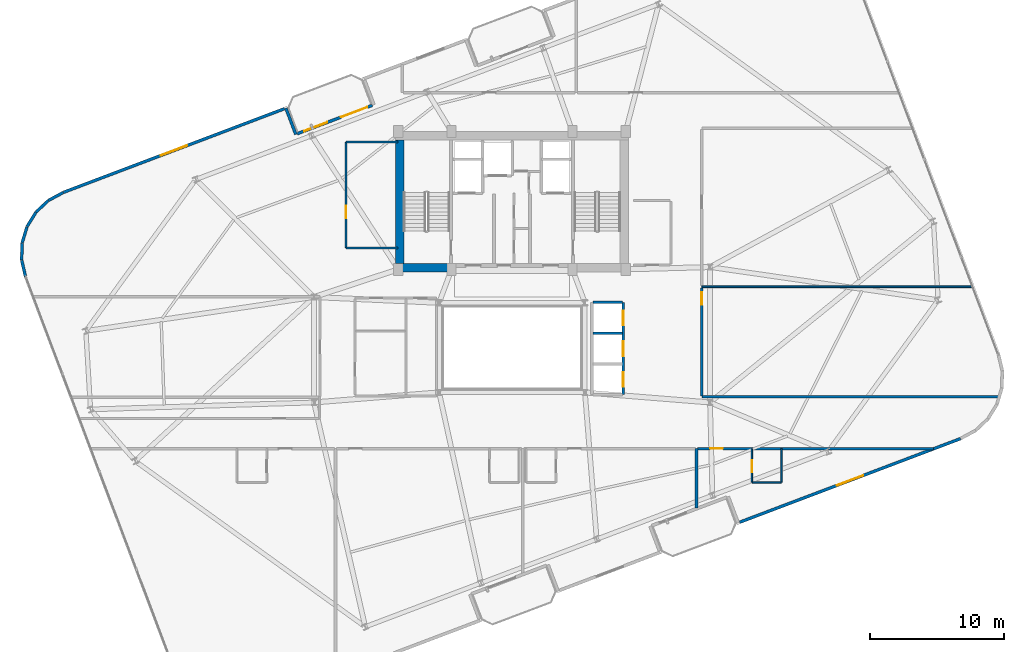
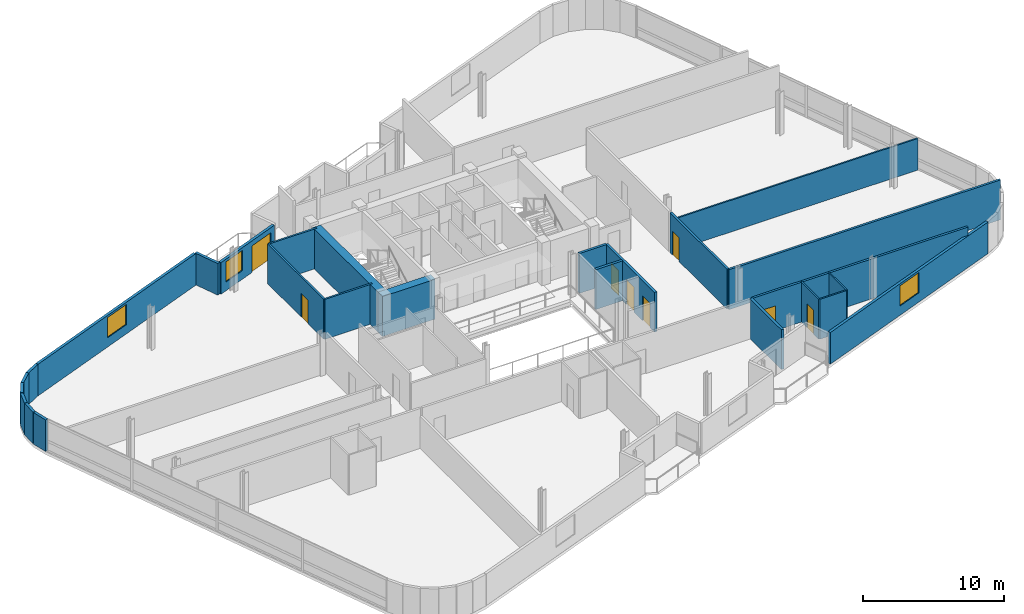
# One storey, part 15 of 19: 26 walls, 8 doors, 3 windows, 11 openings.
"""IFC4 building model written with IfcOpenShell, lengths in metres."""

from ifc_helpers import new_model, si_unit, direction, frame, frame_2d, origin, place, context, subcontext, project, spatial, rectangle, extrude, material, layer, layer_set, type_object, element, fill, save


model = new_model("IFC4")

# Units and contexts
model_context = context("Model", 3, precision=1e-05, world=origin(), true_north=direction((0.0, 1.0)))
body_context = subcontext(model_context, "Body", "Model", "MODEL_VIEW")
ifc_project = project(units=[si_unit("LENGTHUNIT", "METRE"), si_unit("AREAUNIT", "SQUARE_METRE"), si_unit("VOLUMEUNIT", "CUBIC_METRE"), si_unit("PLANEANGLEUNIT", "RADIAN"), si_unit("MASSUNIT", "GRAM", prefix="KILO")], contexts=[model_context])

# Site, building, storey
site_placement = place(None, origin())
site = spatial("IfcSite", under=ifc_project, at=site_placement, CompositionType="ELEMENT")
building_placement = place(site_placement, origin())
building = spatial("IfcBuilding", under=site, at=building_placement, Name="Varnelok Gate Tower", CompositionType="ELEMENT")
storey_placement = place(building_placement, frame((0.0, 0.0, 246.0)))
storey = spatial("IfcBuildingStorey", under=building, at=storey_placement, Name="L63", CompositionType="ELEMENT", Elevation=246.0)

# Wall, openings, door, window
ifc_material_1 = material(Name="Concrete C45/55", Category="concrete")
ifc_layer_1 = layer(ifc_material_1, 0.219970703125)
ifc_layer_set_1 = layer_set([ifc_layer_1], Name="Concrete C45/55")
wall_type_1 = type_object("IfcWallType", Name="EW-BALC-220", PredefinedType="SOLIDWALL", material=ifc_layer_set_1)
wall_1_placement = place(storey_placement, frame((23.1494140625, 38.88720703125, 0.0), z_axis=(0.0, 0.0, 1.0), x_axis=(0.9352192676, 0.354069091436, 0.0)))
wall_1 = element("IfcWall", 1, at=wall_1_placement, inside=storey, type_object=wall_type_1, Name="L63 North Terrace Envelope Wall 3", PredefinedType="SOLIDWALL", context=body_context, shape_type="SweptSolid", body=[
    extrude(rectangle(XDim=6.000244140625, YDim=0.219970703125, at=frame_2d((3.0, 0.0))), origin(), (0.0, 0.0, 1.0), 2.72998046875),
])
opening_1_placement = place(wall_1_placement, frame((3.5, 0.0, 0.0)))
opening_1 = element("IfcOpeningElement", 2, at=opening_1_placement, cuts=wall_1, Name="Opening BD-2", PredefinedType="OPENING", context=body_context, shape_type="SweptSolid", body=[
    extrude(rectangle(XDim=2.10009765625, YDim=2.300048828125, at=frame_2d((1.050048828125, 1.14990234375))), frame((0.0, 0.119873046875, 0.0), z_axis=(0.0, -1.0, 0.0), x_axis=(1.0, 0.0, 0.0)), (0.0, 0.0, 1.0), 0.239990234375),
])
opening_2_placement = place(wall_1_placement, frame((0.550048828125, 0.0, 0.75)))
opening_2 = element("IfcOpeningElement", 3, at=opening_2_placement, cuts=wall_1, Name="Opening WN5", PredefinedType="OPENING", context=body_context, shape_type="SweptSolid", body=[
    extrude(rectangle(XDim=1.85009765625, YDim=1.75, at=frame_2d((0.925048828125, 0.875))), frame((0.0, 0.119873046875, 0.0), z_axis=(0.0, -1.0, 0.0), x_axis=(1.0, 0.0, 0.0)), (0.0, 0.0, 1.0), 0.239990234375),
])
ifc_material_2 = material(Name="Anodized Aluminum Alloy 6063-T6", Category="aluminium")
door_type_1 = type_object("IfcDoorType", Name="DR-EXT-SLID2100", OperationType="SLIDING_TO_LEFT", PredefinedType="DOOR", material=ifc_material_2)
door_1_placement = place(opening_1_placement, origin())
door_1 = element("IfcDoor", 4, at=door_1_placement, inside=storey, type_object=door_type_1, Name="L63 North Balcony Glazed Door 3", OperationType="SLIDING_TO_LEFT", OverallHeight=2.300048828125, OverallWidth=2.10009765625, PredefinedType="DOOR", context=body_context, shape_type="SweptSolid", body=[
    extrude(rectangle(XDim=2.10009765625, YDim=2.300048828125, at=frame_2d((1.050048828125, 1.14990234375))), frame((0.0, 0.02490234375, 0.0), z_axis=(0.0, -1.0, 0.0), x_axis=(1.0, 0.0, 0.0)), (0.0, 0.0, 1.0), 0.050048828125),
])
fill(opening_1, door_1)
ifc_material_3 = material(Name="Low-E Laminated Double Glazing IGU", Category="glass")
window_type_1 = type_object("IfcWindowType", Name="WN-RES-1850", PartitioningType="SINGLE_PANEL", PredefinedType="WINDOW", material=ifc_material_3)
window_1_placement = place(opening_2_placement, origin())
window_1 = element("IfcWindow", 5, at=window_1_placement, inside=storey, type_object=window_type_1, Name="L63 North Vision Window 3.1", OverallHeight=1.75, OverallWidth=1.85009765625, PartitioningType="SINGLE_PANEL", PredefinedType="WINDOW", context=body_context, shape_type="SweptSolid", body=[
    extrude(rectangle(XDim=1.85009765625, YDim=1.75, at=frame_2d((0.925048828125, 0.875))), frame((0.0, 0.030029296875, 0.0), z_axis=(0.0, -1.0, 0.0), x_axis=(1.0, 0.0, 0.0)), (0.0, 0.0, 1.0), 0.06005859375),
])
fill(opening_2, window_1)

# Wall, opening, window
wall_2_placement = place(storey_placement, frame((56.219482421875, 9.844970703125, 0.0), z_axis=(0.0, 0.0, 1.0), x_axis=(0.935225601791, 0.354052360188, 0.0)))
wall_2 = element("IfcWall", 6, at=wall_2_placement, inside=storey, type_object=wall_type_1, Name="L63 Perimeter Facade Closure Wall 13", PredefinedType="SOLIDWALL", context=body_context, shape_type="SweptSolid", body=[
    extrude(rectangle(XDim=17.647216796875, YDim=0.219970703125, at=frame_2d((8.82373046875, 0.0))), origin(), (0.0, 0.0, 1.0), 2.72998046875),
])
opening_3_placement = place(wall_2_placement, frame((7.773681640625, 0.0, 0.800048828125)))
opening_3 = element("IfcOpeningElement", 7, at=opening_3_placement, cuts=wall_2, Name="Opening WN4", PredefinedType="OPENING", context=body_context, shape_type="SweptSolid", body=[
    extrude(rectangle(XDim=2.10009765625, YDim=1.75, at=frame_2d((1.050048828125, 0.875))), frame((0.0, 0.119873046875, 0.0), z_axis=(0.0, -1.0, 0.0), x_axis=(1.0, 0.0, 0.0)), (0.0, 0.0, 1.0), 0.239990234375),
])
window_type_2 = type_object("IfcWindowType", Name="WN-SUI-2100", PartitioningType="SINGLE_PANEL", PredefinedType="WINDOW", material=ifc_material_3)
window_2_placement = place(opening_3_placement, origin())
window_2 = element("IfcWindow", 8, at=window_2_placement, inside=storey, type_object=window_type_2, Name="L63 Perimeter Vision Window 13", OverallHeight=1.75, OverallWidth=2.10009765625, PartitioningType="SINGLE_PANEL", PredefinedType="WINDOW", context=body_context, shape_type="SweptSolid", body=[
    extrude(rectangle(XDim=2.10009765625, YDim=1.75, at=frame_2d((1.050048828125, 0.875))), frame((0.0, 0.030029296875, 0.0), z_axis=(0.0, -1.0, 0.0), x_axis=(1.0, 0.0, 0.0)), (0.0, 0.0, 1.0), 0.06005859375),
])
fill(opening_3, window_2)

# Wall
wall_3_placement = place(storey_placement, frame((23.041015625, 38.83544921875, 0.0), z_axis=(0.0, 0.0, 1.0), x_axis=(-0.354128469405, 0.935196785258, 0.0)))
element("IfcWall", 9, at=wall_3_placement, inside=storey, type_object=wall_type_1, Name="L63 Perimeter Facade Closure Wall 31", PredefinedType="SOLIDWALL", context=body_context, shape_type="SweptSolid", body=[
    extrude(rectangle(XDim=2.099853515625, YDim=0.219970703125, at=frame_2d((1.0498046875, 0.0))), origin(), (0.0, 0.0, 1.0), 2.72998046875),
])

# Wall, opening, window
wall_4_placement = place(storey_placement, frame((22.180419921875, 40.755126953125, 0.0), z_axis=(0.0, 0.0, 1.0), x_axis=(-0.935223867561, -0.354056941104, 0.0)))
wall_4 = element("IfcWall", 10, at=wall_4_placement, inside=storey, type_object=wall_type_1, Name="L63 Perimeter Facade Closure Wall 32", PredefinedType="SOLIDWALL", context=body_context, shape_type="SweptSolid", body=[
    extrude(rectangle(XDim=17.64697265625, YDim=0.219970703125, at=frame_2d((8.823486328125, 0.0))), origin(), (0.0, 0.0, 1.0), 2.72998046875),
])
opening_4_placement = place(wall_4_placement, frame((7.773681640625, 0.0, 0.800048828125)))
opening_4 = element("IfcOpeningElement", 11, at=opening_4_placement, cuts=wall_4, Name="Opening WN4", PredefinedType="OPENING", context=body_context, shape_type="SweptSolid", body=[
    extrude(rectangle(XDim=2.10009765625, YDim=1.75, at=frame_2d((1.050048828125, 0.875))), frame((0.0, 0.119873046875, 0.0), z_axis=(0.0, -1.0, 0.0), x_axis=(1.0, 0.0, 0.0)), (0.0, 0.0, 1.0), 0.239990234375),
])
window_3_placement = place(opening_4_placement, origin())
window_3 = element("IfcWindow", 12, at=window_3_placement, inside=storey, type_object=window_type_2, Name="L63 Perimeter Vision Window 32", OverallHeight=1.75, OverallWidth=2.10009765625, PartitioningType="SINGLE_PANEL", PredefinedType="WINDOW", context=body_context, shape_type="SweptSolid", body=[
    extrude(rectangle(XDim=2.10009765625, YDim=1.75, at=frame_2d((1.050048828125, 0.875))), frame((0.0, 0.030029296875, 0.0), z_axis=(0.0, -1.0, 0.0), x_axis=(1.0, 0.0, 0.0)), (0.0, 0.0, 1.0), 0.06005859375),
])
fill(opening_4, window_3)

# Walls
wall_5_placement = place(storey_placement, frame((5.654296875, 34.4951171875, 0.0), z_axis=(0.0, 0.0, 1.0), x_axis=(-0.88098842986, -0.473137809155, 0.0)))
element("IfcWall", 13, at=wall_5_placement, inside=storey, type_object=wall_type_1, Name="L63 Perimeter Facade Closure Wall 33", PredefinedType="SOLIDWALL", context=body_context, shape_type="SweptSolid", body=[
    extrude(rectangle(XDim=1.25634765625, YDim=0.219970703125, at=frame_2d((0.628173828125, 0.0))), origin(), (0.0, 0.0, 1.0), 2.72998046875),
])
wall_6_placement = place(storey_placement, frame((4.529052734375, 33.883544921875, 0.0), z_axis=(0.0, 0.0, 1.0), x_axis=(-0.728475443486, -0.685071914647, 0.0)))
element("IfcWall", 14, at=wall_6_placement, inside=storey, type_object=wall_type_1, Name="L63 Perimeter Facade Closure Wall 34", PredefinedType="SOLIDWALL", context=body_context, shape_type="SweptSolid", body=[
    extrude(rectangle(XDim=1.248779296875, YDim=0.219970703125, at=frame_2d((0.62451171875, 0.0))), origin(), (0.0, 0.0, 1.0), 2.72998046875),
])
wall_7_placement = place(storey_placement, frame((3.606201171875, 33.0068359375, 0.0), z_axis=(0.0, 0.0, 1.0), x_axis=(-0.526408468713, -0.850231806078, 0.0)))
element("IfcWall", 15, at=wall_7_placement, inside=storey, type_object=wall_type_1, Name="L63 Perimeter Facade Closure Wall 35", PredefinedType="SOLIDWALL", context=body_context, shape_type="SweptSolid", body=[
    extrude(rectangle(XDim=1.24853515625, YDim=0.219970703125, at=frame_2d((0.624267578125, 0.0))), origin(), (0.0, 0.0, 1.0), 2.72998046875),
])
wall_8_placement = place(storey_placement, frame((2.941650390625, 31.92138671875, 0.0), z_axis=(0.0, 0.0, 1.0), x_axis=(-0.288352095019, -0.957524448408, 0.0)))
element("IfcWall", 16, at=wall_8_placement, inside=storey, type_object=wall_type_1, Name="L63 Perimeter Facade Closure Wall 36", PredefinedType="SOLIDWALL", context=body_context, shape_type="SweptSolid", body=[
    extrude(rectangle(XDim=1.248779296875, YDim=0.219970703125, at=frame_2d((0.62451171875, 0.0))), origin(), (0.0, 0.0, 1.0), 2.72998046875),
])
wall_9_placement = place(storey_placement, frame((2.580810546875, 30.70068359375, 0.0), z_axis=(0.0, 0.0, 1.0), x_axis=(-0.030697576053, -0.999528718359, 0.0)))
element("IfcWall", 17, at=wall_9_placement, inside=storey, type_object=wall_type_1, Name="L63 Perimeter Facade Closure Wall 37", PredefinedType="SOLIDWALL", context=body_context, shape_type="SweptSolid", body=[
    extrude(rectangle(XDim=1.24853515625, YDim=0.219970703125, at=frame_2d((0.624267578125, 0.0))), origin(), (0.0, 0.0, 1.0), 2.72998046875),
])
wall_10_placement = place(storey_placement, frame((2.548095703125, 29.428466796875, 0.0), z_axis=(0.0, 0.0, 1.0), x_axis=(0.228941257463, -0.973440239887, 0.0)))
element("IfcWall", 18, at=wall_10_placement, inside=storey, type_object=wall_type_1, Name="L63 Perimeter Facade Closure Wall 38", PredefinedType="SOLIDWALL", context=body_context, shape_type="SweptSolid", body=[
    extrude(rectangle(XDim=1.248779296875, YDim=0.219970703125, at=frame_2d((0.62451171875, 0.0))), origin(), (0.0, 0.0, 1.0), 2.72998046875),
])

# Wall, opening, door
ifc_material_4 = material(Name="Gypsum Plasterboard Acoustic Partition", Category="gypsum")
ifc_layer_2 = layer(ifc_material_4, 0.179931640625)
ifc_layer_set_2 = layer_set([ifc_layer_2], Name="Gypsum Plasterboard Acoustic Partition")
wall_type_2 = type_object("IfcWallType", Name="PW-CORR-180", PredefinedType="PARTITIONING", material=ifc_layer_set_2)
wall_11_placement = place(storey_placement, frame((53.080078125, 15.35009765625, 0.0), z_axis=(0.0, 0.0, 1.0), x_axis=(1.0, 0.0, 0.0)))
wall_11 = element("IfcWall", 19, at=wall_11_placement, inside=storey, type_object=wall_type_2, Name="Interior Partition", PredefinedType="PARTITIONING", context=body_context, shape_type="SweptSolid", body=[
    extrude(rectangle(XDim=17.624267578125, YDim=0.179931640625, at=frame_2d((8.81201171875, 0.0))), origin(), (0.0, 0.0, 1.0), 3.449951171875),
])
opening_5_placement = place(wall_11_placement, frame((0.934814453125, 0.0, 0.0)))
opening_5 = element("IfcOpeningElement", 20, at=opening_5_placement, cuts=wall_11, Name="Opening D-HT", PredefinedType="OPENING", context=body_context, shape_type="SweptSolid", body=[
    extrude(rectangle(XDim=0.949951171875, YDim=2.14990234375, at=frame_2d((0.47509765625, 1.074951171875))), frame((0.0, 0.099853515625, 0.0), z_axis=(0.0, -1.0, 0.0), x_axis=(1.0, 0.0, 0.0)), (0.0, 0.0, 1.0), 0.199951171875),
])
ifc_material_5 = material(Name="Engineered Hardwood Timber", Category="wood")
door_type_2 = type_object("IfcDoorType", Name="DR-HTL-950", OperationType="NOTDEFINED", PredefinedType="DOOR", material=ifc_material_5)
door_2_placement = place(opening_5_placement, origin())
door_2 = element("IfcDoor", 21, at=door_2_placement, inside=storey, type_object=door_type_2, Name="L63 Guest Room 04 Entrance Door", OperationType="SINGLE_SWING_LEFT", OverallHeight=2.14990234375, OverallWidth=0.949951171875, PredefinedType="DOOR", context=body_context, shape_type="SweptSolid", body=[
    extrude(rectangle(XDim=0.949951171875, YDim=2.14990234375, at=frame_2d((0.47509765625, 1.074951171875))), frame((0.0, 0.02490234375, 0.0), z_axis=(0.0, -1.0, 0.0), x_axis=(1.0, 0.0, 0.0)), (0.0, 0.0, 1.0), 0.050048828125),
])
fill(opening_5, door_2)

wall_12_placement = place(storey_placement, frame((53.389892578125, 19.300048828125, 0.0), z_axis=(0.0, 0.0, 1.0), x_axis=(0.0, 1.0, 0.0)))
wall_12 = element("IfcWall", 22, at=wall_12_placement, inside=storey, type_object=wall_type_2, Name="Interior Partition", PredefinedType="PARTITIONING", context=body_context, shape_type="SweptSolid", body=[
    extrude(rectangle(XDim=8.070068359375, YDim=0.179931640625, at=frame_2d((4.03515625, 0.0))), origin(), (0.0, 0.0, 1.0), 3.449951171875),
])
opening_6_placement = place(wall_12_placement, frame((6.800048828125, 0.0, 0.0)))
opening_6 = element("IfcOpeningElement", 23, at=opening_6_placement, cuts=wall_12, Name="Opening D-I3", PredefinedType="OPENING", context=body_context, shape_type="SweptSolid", body=[
    extrude(rectangle(XDim=0.919921875, YDim=2.050048828125, at=frame_2d((0.4599609375, 1.02490234375))), frame((0.0, 0.099853515625, 0.0), z_axis=(0.0, -1.0, 0.0), x_axis=(1.0, 0.0, 0.0)), (0.0, 0.0, 1.0), 0.199951171875),
])
door_type_3 = type_object("IfcDoorType", Name="DR-INT-920", OperationType="NOTDEFINED", PredefinedType="DOOR", material=ifc_material_5)
door_3_placement = place(opening_6_placement, origin())
door_3 = element("IfcDoor", 24, at=door_3_placement, inside=storey, type_object=door_type_3, Name="L63 East Suite 1 Door", OperationType="SINGLE_SWING_LEFT", OverallHeight=2.050048828125, OverallWidth=0.919921875, PredefinedType="DOOR", context=body_context, shape_type="SweptSolid", body=[
    extrude(rectangle(XDim=0.919921875, YDim=2.050048828125, at=frame_2d((0.4599609375, 1.02490234375))), frame((0.0, 0.02490234375, 0.0), z_axis=(0.0, -1.0, 0.0), x_axis=(1.0, 0.0, 0.0)), (0.0, 0.0, 1.0), 0.050048828125),
])
fill(opening_6, door_3)

# Walls
wall_13_placement = place(storey_placement, frame((53.389892578125, 19.239990234375, 0.0), z_axis=(0.0, 0.0, 1.0), x_axis=(1.0, 0.0, 0.0)))
element("IfcWall", 25, at=wall_13_placement, inside=storey, type_object=wall_type_2, Name="Interior Partition", PredefinedType="PARTITIONING", context=body_context, shape_type="SweptSolid", body=[
    extrude(rectangle(XDim=22.216552734375, YDim=0.179931640625, at=frame_2d((11.1083984375, 0.0))), origin(), (0.0, 0.0, 1.0), 3.449951171875),
])
ifc_layer_3 = layer(ifc_material_4, 0.114990234375)
ifc_layer_set_3 = layer_set([ifc_layer_3], Name="Gypsum Plasterboard Acoustic Partition")
wall_type_3 = type_object("IfcWallType", Name="PW-ENS-125", PredefinedType="PARTITIONING", material=ifc_layer_set_3)
wall_14_placement = place(storey_placement, frame((57.169921875, 12.830078125, 0.0), z_axis=(0.0, 0.0, 1.0), x_axis=(1.0, 0.0, 0.0)))
element("IfcWall", 26, at=wall_14_placement, inside=storey, type_object=wall_type_3, Name="Interior Partition", PredefinedType="PARTITIONING", context=body_context, shape_type="SweptSolid", body=[
    extrude(rectangle(XDim=2.150146484375, YDim=0.114990234375, at=frame_2d((1.0751953125, 0.0))), origin(), (0.0, 0.0, 1.0), 3.449951171875),
])

# Wall, opening, door
wall_15_placement = place(storey_placement, frame((57.1298828125, 12.830078125, 0.0), z_axis=(0.0, 0.0, 1.0), x_axis=(0.0, 1.0, 0.0)))
wall_15 = element("IfcWall", 27, at=wall_15_placement, inside=storey, type_object=wall_type_3, Name="Interior Partition", PredefinedType="PARTITIONING", context=body_context, shape_type="SweptSolid", body=[
    extrude(rectangle(XDim=2.52001953125, YDim=0.114990234375, at=frame_2d((1.260009765625, 0.0))), origin(), (0.0, 0.0, 1.0), 3.449951171875),
])
opening_7_placement = place(wall_15_placement, frame((0.760009765625, 0.0, 0.0)))
opening_7 = element("IfcOpeningElement", 28, at=opening_7_placement, cuts=wall_15, Name="Opening D-WC", PredefinedType="OPENING", context=body_context, shape_type="SweptSolid", body=[
    extrude(rectangle(XDim=0.89990234375, YDim=2.050048828125, at=frame_2d((0.449951171875, 1.02490234375))), frame((0.0, 0.0673828125, 0.0), z_axis=(0.0, -1.0, 0.0), x_axis=(1.0, 0.0, 0.0)), (0.0, 0.0, 1.0), 0.135009765625),
])
door_type_4 = type_object("IfcDoorType", Name="DR-BATH-900", OperationType="NOTDEFINED", PredefinedType="DOOR", material=ifc_material_5)
door_4_placement = place(opening_7_placement, origin())
door_4 = element("IfcDoor", 29, at=door_4_placement, inside=storey, type_object=door_type_4, Name="L63 Guest En-Suite 04 Door", OperationType="SINGLE_SWING_RIGHT", OverallHeight=2.050048828125, OverallWidth=0.89990234375, PredefinedType="DOOR", context=body_context, shape_type="SweptSolid", body=[
    extrude(rectangle(XDim=0.89990234375, YDim=2.050048828125, at=frame_2d((0.449951171875, 1.02490234375))), frame((0.0, 0.02490234375, 0.0), z_axis=(0.0, -1.0, 0.0), x_axis=(1.0, 0.0, 0.0)), (0.0, 0.0, 1.0), 0.050048828125),
])
fill(opening_7, door_4)

# Walls
wall_16_placement = place(storey_placement, frame((59.360107421875, 12.830078125, 0.0), z_axis=(0.0, 0.0, 1.0), x_axis=(0.0, 1.0, 0.0)))
element("IfcWall", 30, at=wall_16_placement, inside=storey, type_object=wall_type_3, Name="Interior Partition", PredefinedType="PARTITIONING", context=body_context, shape_type="SweptSolid", body=[
    extrude(rectangle(XDim=2.52001953125, YDim=0.114990234375, at=frame_2d((1.260009765625, 0.0))), origin(), (0.0, 0.0, 1.0), 3.449951171875),
])
ifc_layer_4 = layer(ifc_material_4, 0.125)
ifc_layer_set_4 = layer_set([ifc_layer_4], Name="Gypsum Plasterboard Acoustic Partition")
wall_type_4 = type_object("IfcWallType", Name="PW-PART-125", PredefinedType="PARTITIONING", material=ifc_layer_set_4)
wall_17_placement = place(storey_placement, frame((53.389892578125, 27.449951171875, 0.0), z_axis=(0.0, 0.0, 1.0), x_axis=(1.0, 0.0, 0.0)))
element("IfcWall", 31, at=wall_17_placement, inside=storey, type_object=wall_type_4, Name="Interior Partition", PredefinedType="PARTITIONING", context=body_context, shape_type="SweptSolid", body=[
    extrude(rectangle(XDim=20.19921875, YDim=0.125, at=frame_2d((10.099609375, 0.0))), origin(), (0.0, 0.0, 1.0), 2.739013671875),
])
ifc_layer_5 = layer(ifc_material_4, 0.14990234375)
ifc_layer_set_5 = layer_set([ifc_layer_5], Name="Gypsum Plasterboard Acoustic Partition")
wall_type_5 = type_object("IfcWallType", Name="PW-PART-150", PredefinedType="PARTITIONING", material=ifc_layer_set_5)
for number, where, z_axis, x_axis, name in (
    (32, (26.780029296875, 30.360107421875, 0.0), (0.0, 0.0, 1.0), (1.0, 0.0, 0.0), "Interior Partition"),
    (33, (26.780029296875, 38.260009765625, 0.0), (0.0, 0.0, 1.0), (1.0, 0.0, 0.0), "Interior Partition"),
):
    element("IfcWall", number, at=place(storey_placement, frame(where, z_axis=z_axis, x_axis=x_axis)), inside=storey, type_object=wall_type_5, Name=name, PredefinedType="PARTITIONING", context=body_context, shape_type="SweptSolid", body=[
        extrude(rectangle(XDim=3.89990234375, YDim=0.14990234375, at=frame_2d((1.949951171875, 0.0))), origin(), (0.0, 0.0, 1.0), 3.449951171875),
    ])

# Wall, opening, door
wall_18_placement = place(storey_placement, frame((26.780029296875, 30.360107421875, 0.0), z_axis=(0.0, 0.0, 1.0), x_axis=(0.0, 1.0, 0.0)))
wall_18 = element("IfcWall", 34, at=wall_18_placement, inside=storey, type_object=wall_type_5, Name="Interior Partition", PredefinedType="PARTITIONING", context=body_context, shape_type="SweptSolid", body=[
    extrude(rectangle(XDim=7.89990234375, YDim=0.14990234375, at=frame_2d((3.949951171875, 0.0))), origin(), (0.0, 0.0, 1.0), 3.449951171875),
])
opening_8_placement = place(wall_18_placement, frame((2.199951171875, 0.0, 0.0)))
opening_8 = element("IfcOpeningElement", 35, at=opening_8_placement, cuts=wall_18, Name="Opening D-I2", PredefinedType="OPENING", context=body_context, shape_type="SweptSolid", body=[
    extrude(rectangle(XDim=0.949951171875, YDim=2.050048828125, at=frame_2d((0.47509765625, 1.02490234375))), frame((0.0, 0.0849609375, 0.0), z_axis=(0.0, -1.0, 0.0), x_axis=(1.0, 0.0, 0.0)), (0.0, 0.0, 1.0), 0.169921875),
])
door_type_5 = type_object("IfcDoorType", Name="DR-INT-950", OperationType="NOTDEFINED", PredefinedType="DOOR", material=ifc_material_5)
door_5_placement = place(opening_8_placement, origin())
door_5 = element("IfcDoor", 36, at=door_5_placement, inside=storey, type_object=door_type_5, Name="L63 Core Valet Door", OperationType="SINGLE_SWING_RIGHT", OverallHeight=2.050048828125, OverallWidth=0.949951171875, PredefinedType="DOOR", context=body_context, shape_type="SweptSolid", body=[
    extrude(rectangle(XDim=0.949951171875, YDim=2.050048828125, at=frame_2d((0.47509765625, 1.02490234375))), frame((0.0, 0.02490234375, 0.0), z_axis=(0.0, -1.0, 0.0), x_axis=(1.0, 0.0, 0.0)), (0.0, 0.0, 1.0), 0.050048828125),
])
fill(opening_8, door_5)

# Walls
ifc_layer_6 = layer(ifc_material_4, 0.205078125)
ifc_layer_set_6 = layer_set([ifc_layer_6], Name="Gypsum Plasterboard Acoustic Partition")
wall_type_6 = type_object("IfcWallType", Name="PW-PARTY-200", PredefinedType="PARTITIONING", material=ifc_layer_set_6)
wall_19_placement = place(storey_placement, frame((53.0, 10.892822265625, 0.0), z_axis=(0.0, 0.0, 1.0), x_axis=(0.0, 1.0, 0.0)))
element("IfcWall", 37, at=wall_19_placement, inside=storey, type_object=wall_type_6, Name="L63 South Party Wall 3", PredefinedType="PARTITIONING", context=body_context, shape_type="SweptSolid", body=[
    extrude(rectangle(XDim=4.457275390625, YDim=0.205078125, at=frame_2d((2.228515625, 0.0))), origin(), (0.0, 0.0, 1.0), 3.449951171875),
])
ifc_material_6 = material(Name="Concrete C35/45", Category="concrete")
ifc_layer_7 = layer(ifc_material_6, 0.199951171875)
ifc_layer_set_7 = layer_set([ifc_layer_7], Name="Concrete C35/45")
wall_type_7 = type_object("IfcWallType", Name="PW-SHAFT-200", PredefinedType="PARTITIONING", material=ifc_layer_set_7)
for number, where, z_axis, x_axis, name in (
    (38, (45.239990234375, 23.97509765625, 0.0), (0.0, 0.0, 1.0), (1.0, 0.0, 0.0), "L63 PH2 Divider"),
    (39, (45.239990234375, 26.280029296875, 0.0), (0.0, 0.0, 1.0), (1.0, 0.0, 0.0), "L63 PH Bank North Wall"),
):
    element("IfcWall", number, at=place(storey_placement, frame(where, z_axis=z_axis, x_axis=x_axis)), inside=storey, type_object=wall_type_7, Name=name, PredefinedType="PARTITIONING", context=body_context, shape_type="SweptSolid", body=[
        extrude(rectangle(XDim=2.219970703125, YDim=0.199951171875, at=frame_2d((1.10986328125, 0.0))), origin(), (0.0, 0.0, 1.0), 3.449951171875),
    ])

# Wall, openings, doors
wall_20_placement = place(storey_placement, frame((47.52001953125, 19.3798828125, 0.0), z_axis=(0.0, 0.0, 1.0), x_axis=(0.0, 1.0, 0.0)))
wall_20 = element("IfcWall", 40, at=wall_20_placement, inside=storey, type_object=wall_type_7, Name="L63 PH Bank Front Wall", PredefinedType="PARTITIONING", context=body_context, shape_type="SweptSolid", body=[
    extrude(rectangle(XDim=6.900146484375, YDim=0.199951171875, at=frame_2d((3.4501953125, 0.0))), origin(), (0.0, 0.0, 1.0), 3.449951171875),
])
opening_9_placement = place(wall_20_placement, frame((0.590087890625, 0.0, 0.0)))
opening_9 = element("IfcOpeningElement", 41, at=opening_9_placement, cuts=wall_20, Name="Opening LD-PH1", PredefinedType="OPENING", context=body_context, shape_type="SweptSolid", body=[
    extrude(rectangle(XDim=1.10009765625, YDim=2.14990234375, at=frame_2d((0.550048828125, 1.074951171875))), frame((0.0, 0.10986328125, 0.0), z_axis=(0.0, -1.0, 0.0), x_axis=(1.0, 0.0, 0.0)), (0.0, 0.0, 1.0), 0.219970703125),
])
opening_10_placement = place(wall_20_placement, frame((2.889892578125, 0.0, 0.0)))
opening_10 = element("IfcOpeningElement", 42, at=opening_10_placement, cuts=wall_20, Name="Opening LD-PH2", PredefinedType="OPENING", context=body_context, shape_type="SweptSolid", body=[
    extrude(rectangle(XDim=1.10009765625, YDim=2.14990234375, at=frame_2d((0.550048828125, 1.074951171875))), frame((0.0, 0.10986328125, 0.0), z_axis=(0.0, -1.0, 0.0), x_axis=(1.0, 0.0, 0.0)), (0.0, 0.0, 1.0), 0.219970703125),
])
opening_11_placement = place(wall_20_placement, frame((5.18994140625, 0.0, 0.0)))
opening_11 = element("IfcOpeningElement", 43, at=opening_11_placement, cuts=wall_20, Name="Opening LD-PH3", PredefinedType="OPENING", context=body_context, shape_type="SweptSolid", body=[
    extrude(rectangle(XDim=1.10009765625, YDim=2.14990234375, at=frame_2d((0.550048828125, 1.074951171875))), frame((0.0, 0.10986328125, 0.0), z_axis=(0.0, -1.0, 0.0), x_axis=(1.0, 0.0, 0.0)), (0.0, 0.0, 1.0), 0.219970703125),
])
ifc_material_7 = material(Name="Galvanized Steel Grade S350GD", Category="steel")
door_type_6 = type_object("IfcDoorType", Name="DR-LIFT-PAX1100", OperationType="SLIDING_TO_LEFT", PredefinedType="DOOR", material=ifc_material_7)
door_6_placement = place(opening_9_placement, origin())
door_6 = element("IfcDoor", 44, at=door_6_placement, inside=storey, type_object=door_type_6, Name="L63 Passenger Lift Landing Door LD-PH1", OperationType="SLIDING_TO_LEFT", OverallHeight=2.14990234375, OverallWidth=1.10009765625, PredefinedType="DOOR", context=body_context, shape_type="SweptSolid", body=[
    extrude(rectangle(XDim=1.10009765625, YDim=2.14990234375, at=frame_2d((0.550048828125, 1.074951171875))), frame((0.0, 0.02490234375, 0.0), z_axis=(0.0, -1.0, 0.0), x_axis=(1.0, 0.0, 0.0)), (0.0, 0.0, 1.0), 0.050048828125),
])
fill(opening_9, door_6)
door_7_placement = place(opening_10_placement, origin())
door_7 = element("IfcDoor", 45, at=door_7_placement, inside=storey, type_object=door_type_6, Name="L63 Passenger Lift Landing Door LD-PH2", OperationType="SLIDING_TO_LEFT", OverallHeight=2.14990234375, OverallWidth=1.10009765625, PredefinedType="DOOR", context=body_context, shape_type="SweptSolid", body=[
    extrude(rectangle(XDim=1.10009765625, YDim=2.14990234375, at=frame_2d((0.550048828125, 1.074951171875))), frame((0.0, 0.02490234375, 0.0), z_axis=(0.0, -1.0, 0.0), x_axis=(1.0, 0.0, 0.0)), (0.0, 0.0, 1.0), 0.050048828125),
])
fill(opening_10, door_7)
door_8_placement = place(opening_11_placement, origin())
door_8 = element("IfcDoor", 46, at=door_8_placement, inside=storey, type_object=door_type_6, Name="L63 Passenger Lift Landing Door LD-PH3", OperationType="SLIDING_TO_LEFT", OverallHeight=2.14990234375, OverallWidth=1.10009765625, PredefinedType="DOOR", context=body_context, shape_type="SweptSolid", body=[
    extrude(rectangle(XDim=1.10009765625, YDim=2.14990234375, at=frame_2d((0.550048828125, 1.074951171875))), frame((0.0, 0.02490234375, 0.0), z_axis=(0.0, -1.0, 0.0), x_axis=(1.0, 0.0, 0.0)), (0.0, 0.0, 1.0), 0.050048828125),
])
fill(opening_11, door_8)

# Walls
ifc_material_8 = material(Name="Concrete C60/75", Category="concrete")
ifc_layer_8 = layer(ifc_material_8, 0.64990234375)
ifc_layer_set_8 = layer_set([ifc_layer_8], Name="Concrete C60/75")
wall_type_8 = type_object("IfcWallType", Name="SW-CORE-650", PredefinedType="SHEAR", material=ifc_layer_set_8)
wall_21_placement = place(storey_placement, frame((30.804931640625, 29.199951171875, 0.0), z_axis=(0.0, 0.0, 1.0), x_axis=(0.0, 1.0, 0.0)))
element("IfcWall", 47, at=wall_21_placement, inside=storey, type_object=wall_type_8, Name="L63 Rear Core West Shear Wall", PredefinedType="SHEAR", context=body_context, shape_type="SweptSolid", body=[
    extrude(rectangle(XDim=9.219970703125, YDim=0.64990234375, at=frame_2d((4.60986328125, 0.0))), origin(), (0.0, 0.0, 1.0), 3.449951171875),
])
wall_22_placement = place(storey_placement, frame((30.47998046875, 28.875, 0.0), z_axis=(0.0, 0.0, 1.0), x_axis=(1.0, 0.0, 0.0)))
element("IfcWall", 48, at=wall_22_placement, inside=storey, type_object=wall_type_8, Name="L63 Rear Core South-West Shear Wall", PredefinedType="SHEAR", context=body_context, shape_type="SweptSolid", body=[
    extrude(rectangle(XDim=4.320068359375, YDim=0.64990234375, at=frame_2d((2.16015625, 0.0))), origin(), (0.0, 0.0, 1.0), 3.449951171875),
])

save(model, "model.ifc")
